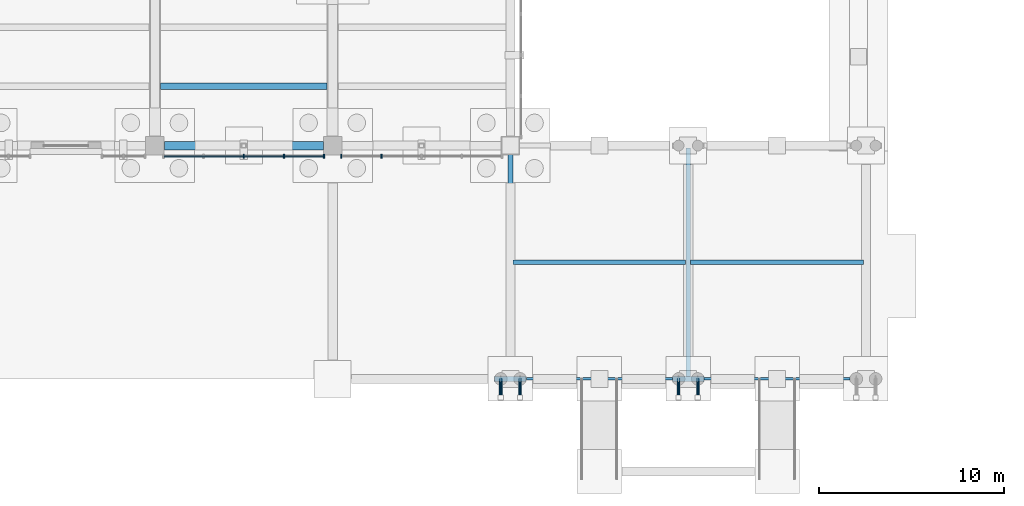
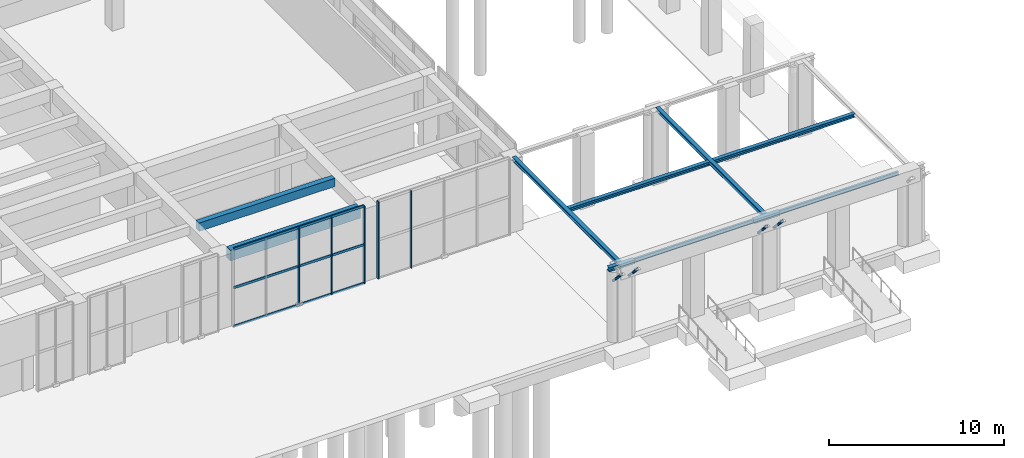
# One storey, part 17 of 51: 12 members, 10 beams, 2 elements without a shape of their own.
"""IFC4 building model written with IfcOpenShell, lengths in metres."""

from ifc_helpers import new_model, si_unit, direction, frame, origin, origin_2d, place, context, subcontext, project, spatial, rectangle, hollow_circle, i_section, extrude, material, layer, layer_set, material_profile, profile_set, type_object, element, aggregate, save


model = new_model("IFC4")

# Units and contexts
model_context = context("Model", 3, precision=1e-05, world=origin(), true_north=direction((0.0, 1.0)))
body_context = subcontext(model_context, "Body", "Model", "MODEL_VIEW")
ifc_project = project(units=[si_unit("LENGTHUNIT", "METRE"), si_unit("AREAUNIT", "SQUARE_METRE"), si_unit("VOLUMEUNIT", "CUBIC_METRE"), si_unit("PLANEANGLEUNIT", "RADIAN"), si_unit("MASSUNIT", "GRAM", prefix="KILO")], contexts=[model_context])

# Site, building, storey
site_placement = place(None, origin())
site = spatial("IfcSite", under=ifc_project, at=site_placement, CompositionType="ELEMENT")
building_placement = place(site_placement, origin())
building = spatial("IfcBuilding", under=site, at=building_placement, Name="Bempovik Park Faculty of Sciences", CompositionType="ELEMENT")
storey_placement = place(building_placement, origin())
storey = spatial("IfcBuildingStorey", under=building, at=storey_placement, Name="L00", CompositionType="ELEMENT", Elevation=0.0)

# Beams
ifc_material_1 = material(Name="Steel S355", Category="steel")
ifc_material_profile_1 = material_profile(ifc_material_1, i_section(OverallWidth=0.135009765625, OverallDepth=0.27001953125, WebThickness=0.006591796875, FlangeThickness=0.01025390625, at=origin_2d()), Name="IPE 270")
ifc_profile_set_1 = profile_set([ifc_material_profile_1], Name="Steel S355")
beam_type_1 = type_object("IfcBeamType", Name="B-036 IPE 270", PredefinedType="SPANDREL", material=ifc_profile_set_1)
beam_1_placement = place(storey_placement, frame((118.4560546875, 7.199951171875, 5.044921875), z_axis=(1.0, 0.0, 0.0), x_axis=(0.0, 1.0, 0.0)))
element("IfcBeam", 1, at=beam_1_placement, inside=storey, type_object=beam_type_1, Name="Colonnade Beam X E (117.6-127.2)", PredefinedType="SPANDREL", context=body_context, shape_type="SweptSolid", body=[
    extrude(i_section(OverallWidth=0.135009765625, OverallDepth=0.27001953125, WebThickness=0.006591796875, FlangeThickness=0.01025390625, at=origin_2d()), origin(), (0.0, 0.0, 1.0), 7.887939453125),
])
beam_2_placement = place(storey_placement, frame((128.055908203125, 7.199951171875, 5.044921875), z_axis=(1.0, 0.0, 0.0), x_axis=(0.0, 1.0, 0.0)))
element("IfcBeam", 2, at=beam_2_placement, inside=storey, type_object=beam_type_1, Name="Colonnade Beam X E (127.2-136.8)", PredefinedType="SPANDREL", context=body_context, shape_type="SweptSolid", body=[
    extrude(i_section(OverallWidth=0.135009765625, OverallDepth=0.27001953125, WebThickness=0.006591796875, FlangeThickness=0.01025390625, at=origin_2d()), origin(), (0.0, 0.0, 1.0), 7.88818359375),
])
ifc_material_profile_2 = material_profile(ifc_material_1, i_section(OverallWidth=0.260009765625, OverallDepth=0.25, WebThickness=0.007568359375, FlangeThickness=0.012451171875, at=origin_2d()), Name="HEA 260")
ifc_profile_set_2 = profile_set([ifc_material_profile_2], Name="Steel S355")
beam_type_2 = type_object("IfcBeamType", Name="B-082 HEA 260", PredefinedType="BEAM", material=ifc_profile_set_2)
beam_3_placement = place(storey_placement, frame((117.60009765625, 7.3359375, 5.054931640625), z_axis=(0.0, 1.0, 0.0), x_axis=(-1.0, 0.0, 0.0)))
element("IfcBeam", 3, at=beam_3_placement, inside=storey, type_object=beam_type_2, Name="Colonnade Canopy Beam Y E-117.6", PredefinedType="BEAM", context=body_context, shape_type="SweptSolid", body=[
    extrude(i_section(OverallWidth=0.260009765625, OverallDepth=0.25, WebThickness=0.007568359375, FlangeThickness=0.012451171875, at=origin_2d()), origin(), (0.0, 0.0, 1.0), 12.13818359375),
])
beam_4_placement = place(storey_placement, frame((127.199951171875, 7.3359375, 5.054931640625), z_axis=(0.0, 1.0, 0.0), x_axis=(-1.0, 0.0, 0.0)))
element("IfcBeam", 4, at=beam_4_placement, inside=storey, type_object=beam_type_2, Name="Colonnade Canopy Beam Y E-127.2", PredefinedType="BEAM", context=body_context, shape_type="SweptSolid", body=[
    extrude(i_section(OverallWidth=0.260009765625, OverallDepth=0.25, WebThickness=0.007568359375, FlangeThickness=0.012451171875, at=origin_2d()), origin(), (0.0, 0.0, 1.0), 12.328125),
])
beam_5_placement = place(storey_placement, frame((117.736083984375, 13.5, 5.054931640625), z_axis=(1.0, 0.0, 0.0), x_axis=(0.0, 1.0, 0.0)))
element("IfcBeam", 5, at=beam_5_placement, inside=storey, type_object=beam_type_2, Name="Colonnade Beam X E (117.6-127.2)", PredefinedType="BEAM", context=body_context, shape_type="SweptSolid", body=[
    extrude(i_section(OverallWidth=0.260009765625, OverallDepth=0.25, WebThickness=0.007568359375, FlangeThickness=0.012451171875, at=origin_2d()), origin(), (0.0, 0.0, 1.0), 9.327880859375),
])
beam_6_placement = place(storey_placement, frame((127.3359375, 13.5, 5.054931640625), z_axis=(1.0, 0.0, 0.0), x_axis=(0.0, 1.0, 0.0)))
element("IfcBeam", 6, at=beam_6_placement, inside=storey, type_object=beam_type_2, Name="Colonnade Beam X E (127.2-136.8)", PredefinedType="BEAM", context=body_context, shape_type="SweptSolid", body=[
    extrude(i_section(OverallWidth=0.260009765625, OverallDepth=0.25, WebThickness=0.007568359375, FlangeThickness=0.012451171875, at=origin_2d()), origin(), (0.0, 0.0, 1.0), 9.328125),
])
ifc_material_profile_3 = material_profile(ifc_material_1, i_section(OverallWidth=0.280029296875, OverallDepth=0.27001953125, WebThickness=0.008056640625, FlangeThickness=0.012939453125, at=origin_2d()), Name="HEA 280")
ifc_profile_set_3 = profile_set([ifc_material_profile_3], Name="Steel S355")
beam_type_3 = type_object("IfcBeamType", Name="B-098 HEA 280", PredefinedType="BEAM", material=ifc_profile_set_3)
for number, where, z_axis, x_axis, name in (
    (7, (116.75, 7.199951171875, 5.044921875), (1.0, 0.0, 0.0), (0.0, 1.0, 0.0), "Colonnade Pier Cap Beam E-117.6"),
    (8, (126.35009765625, 7.199951171875, 5.044921875), (1.0, 0.0, 0.0), (0.0, 1.0, 0.0), "Colonnade Pier Cap Beam E-127.2"),
):
    element("IfcBeam", number, at=place(storey_placement, frame(where, z_axis=z_axis, x_axis=x_axis)), inside=storey, type_object=beam_type_3, Name=name, PredefinedType="BEAM", context=body_context, shape_type="SweptSolid", body=[
        extrude(i_section(OverallWidth=0.280029296875, OverallDepth=0.27001953125, WebThickness=0.008056640625, FlangeThickness=0.012939453125, at=origin_2d()), origin(), (0.0, 0.0, 1.0), 1.699951171875),
    ])
ifc_material_2 = material(Name="Concrete C35/45", Category="concrete")
ifc_material_profile_4 = material_profile(ifc_material_2, rectangle(XDim=0.35009765625, YDim=0.580078125, at=origin_2d()), Name="RC 350x580")
ifc_profile_set_4 = profile_set([ifc_material_profile_4], Name="Concrete C35/45")
beam_type_4 = type_object("IfcBeamType", Name="B-107 RC 350x580", PredefinedType="JOIST", material=ifc_profile_set_4)
beam_7_placement = place(storey_placement, frame((98.7060546875, 23.0, 4.7900390625), z_axis=(1.0, 0.0, 0.0), x_axis=(0.0, 1.0, 0.0)))
element("IfcBeam", 9, at=beam_7_placement, inside=storey, type_object=beam_type_4, Name="L00 Secondary Joist (98.4-108.0, y=23.00)", PredefinedType="JOIST", context=body_context, shape_type="SweptSolid", body=[
    extrude(rectangle(XDim=0.35009765625, YDim=0.580078125, at=origin_2d()), origin(), (0.0, 0.0, 1.0), 8.988037109375),
])
ifc_material_3 = material(Name="Concrete C40/50", Category="concrete")
ifc_material_profile_5 = material_profile(ifc_material_3, rectangle(XDim=0.449951171875, YDim=0.75, at=origin_2d()), Name="RC 450x750")
ifc_profile_set_5 = profile_set([ifc_material_profile_5], Name="Concrete C40/50")
beam_type_5 = type_object("IfcBeamType", Name="B-130 RC 450x750", PredefinedType="SPANDREL", material=ifc_profile_set_5)
beam_8_placement = place(storey_placement, frame((98.906005859375, 19.800048828125, 4.705078125), z_axis=(1.0, 0.0, 0.0), x_axis=(0.0, 1.0, 0.0)))
element("IfcBeam", 10, at=beam_8_placement, inside=storey, type_object=beam_type_5, Name="L00 Beam X (98.4-108.0, y=19.8)", PredefinedType="SPANDREL", context=body_context, shape_type="SweptSolid", body=[
    extrude(rectangle(XDim=0.449951171875, YDim=0.75, at=origin_2d()), origin(), (0.0, 0.0, 1.0), 8.587890625),
])

# Members
ifc_material_profile_6 = material_profile(ifc_material_1, hollow_circle(Radius=0.084228515625, WallThickness=0.008056640625, at=origin_2d()), Name="CHS 168.3x8")
ifc_profile_set_6 = profile_set([ifc_material_profile_6], Name="Steel S355")
member_type_1 = type_object("IfcMemberType", Name="M-51 CHS 168.3x8", PredefinedType="STRUT", material=ifc_profile_set_6)
for number, where, z_axis, x_axis, name in (
    (11, (117.080078125, 7.199951171875, 4.10009765625), (0.0, -0.686283985267, 0.727333686534), (1.0, 0.0, 0.0), "Colonnade Overhang Strut 117.6-W"),
    (12, (118.1201171875, 7.199951171875, 4.10009765625), (0.0, -0.686283985267, 0.727333686534), (1.0, 0.0, 0.0), "Colonnade Overhang Strut 117.6-E"),
    (13, (126.679931640625, 7.199951171875, 4.10009765625), (0.0, -0.686283985267, 0.727333686534), (1.0, 0.0, 0.0), "Colonnade Overhang Strut 127.2-W"),
    (14, (127.719970703125, 7.199951171875, 4.10009765625), (0.0, -0.686283985267, 0.727333686534), (1.0, 0.0, 0.0), "Colonnade Overhang Strut 127.2-E"),
):
    element("IfcMember", number, at=place(storey_placement, frame(where, z_axis=z_axis, x_axis=x_axis)), inside=storey, type_object=member_type_1, Name=name, PredefinedType="STRUT", context=body_context, shape_type="SweptSolid", body=[
        extrude(hollow_circle(Radius=0.084228515625, WallThickness=0.008056640625, at=origin_2d()), origin(), (0.0, 0.0, 1.0), 1.45703125),
    ])

# Curtain wall, members
ifc_material_4 = material(Name="Tempered laminated low-E glass", Category="glass")
ifc_layer = layer(ifc_material_4, 0.159912109375)
ifc_layer_set = layer_set([ifc_layer], Name="Tempered laminated low-E glass")
curtain_wall_type = type_object("IfcCurtainWallType", Name="CW-57 Curtain 7200x5100", PredefinedType="USERDEFINED", material=ifc_layer_set)
curtain_wall_1_placement = place(storey_placement, origin())
curtain_wall_1 = element("IfcCurtainWall", 15, at=curtain_wall_1_placement, inside=storey, type_object=curtain_wall_type, Name="L00 Recessed Entrance Foyer Curtain Wall (98.4-108.0)", ObjectType="UNITISED CURTAIN WALL", PredefinedType="USERDEFINED")
ifc_material_5 = material(Name="Anodised architectural bronze", Category="aluminium")
ifc_material_profile_7 = material_profile(ifc_material_5, rectangle(XDim=0.074951171875, YDim=0.199951171875, at=origin_2d()), Name="ALU-M 75x200")
ifc_profile_set_7 = profile_set([ifc_material_profile_7], Name="Anodised architectural bronze")
member_type_2 = type_object("IfcMemberType", Name="ML-17 ALU-M 75x200", PredefinedType="MULLION", material=ifc_profile_set_7)
member_1_placement = place(storey_placement, frame((103.199951171875, 19.219970703125, 0.0), z_axis=(0.0, 0.0, 1.0), x_axis=(1.0, 0.0, 0.0)))
member_1 = element("IfcMember", 16, at=member_1_placement, type_object=member_type_2, Name="CW-FOY-L00-198-984 Mullion 2", PredefinedType="MULLION", context=body_context, shape_type="SweptSolid", body=[
    extrude(rectangle(XDim=0.074951171875, YDim=0.199951171875, at=origin_2d()), origin(), (0.0, 0.0, 1.0), 5.39990234375),
])
member_2_placement = place(storey_placement, frame((105.368896484375, 19.219970703125, 0.0), z_axis=(0.0, 0.0, 1.0), x_axis=(1.0, 0.0, 0.0)))
member_2 = element("IfcMember", 17, at=member_2_placement, type_object=member_type_2, Name="CW-FOY-L00-198-984 Mullion 3", PredefinedType="MULLION", context=body_context, shape_type="SweptSolid", body=[
    extrude(rectangle(XDim=0.074951171875, YDim=0.199951171875, at=origin_2d()), origin(), (0.0, 0.0, 1.0), 5.39990234375),
])
member_3_placement = place(storey_placement, frame((107.5380859375, 19.219970703125, 0.0), z_axis=(0.0, 0.0, 1.0), x_axis=(1.0, 0.0, 0.0)))
member_3 = element("IfcMember", 18, at=member_3_placement, type_object=member_type_2, Name="CW-FOY-L00-198-984 Mullion 4", PredefinedType="MULLION", context=body_context, shape_type="SweptSolid", body=[
    extrude(rectangle(XDim=0.074951171875, YDim=0.199951171875, at=origin_2d()), origin(), (0.0, 0.0, 1.0), 5.39990234375),
])

curtain_wall_2_placement = place(storey_placement, origin())
curtain_wall_2 = element("IfcCurtainWall", 19, at=curtain_wall_2_placement, inside=storey, type_object=curtain_wall_type, Name="L00 Recessed Entrance Foyer Curtain Wall (108.0-117.6)", ObjectType="UNITISED CURTAIN WALL", PredefinedType="USERDEFINED")
member_4_placement = place(storey_placement, frame((108.4619140625, 19.219970703125, 0.0), z_axis=(0.0, 0.0, 1.0), x_axis=(1.0, 0.0, 0.0)))
member_4 = element("IfcMember", 20, at=member_4_placement, type_object=member_type_2, Name="CW-FOY-L00-198-1080 Mullion 0", PredefinedType="MULLION", context=body_context, shape_type="SweptSolid", body=[
    extrude(rectangle(XDim=0.074951171875, YDim=0.199951171875, at=origin_2d()), origin(), (0.0, 0.0, 1.0), 5.39990234375),
])
member_5_placement = place(storey_placement, frame((110.631103515625, 19.219970703125, 0.0), z_axis=(0.0, 0.0, 1.0), x_axis=(1.0, 0.0, 0.0)))
member_5 = element("IfcMember", 21, at=member_5_placement, type_object=member_type_2, Name="CW-FOY-L00-198-1080 Mullion 1", PredefinedType="MULLION", context=body_context, shape_type="SweptSolid", body=[
    extrude(rectangle(XDim=0.074951171875, YDim=0.199951171875, at=origin_2d()), origin(), (0.0, 0.0, 1.0), 5.39990234375),
])
aggregate(curtain_wall_2, [member_4, member_5])

# Member
ifc_material_profile_8 = material_profile(ifc_material_5, rectangle(XDim=0.074951171875, YDim=0.1650390625, at=origin_2d()), Name="ALU-T 75x165")
ifc_profile_set_8 = profile_set([ifc_material_profile_8], Name="Anodised architectural bronze")
member_type_3 = type_object("IfcMemberType", Name="TR-15 ALU-T 75x165", PredefinedType="USERDEFINED", material=ifc_profile_set_8)
member_6_placement = place(storey_placement, frame((98.902099609375, 19.219970703125, 0.0), z_axis=(1.0, 0.0, 0.0), x_axis=(0.0, 1.0, 0.0)))
member_6 = element("IfcMember", 22, at=member_6_placement, type_object=member_type_3, Name="CW-FOY-L00-198-984 Transom 0", ObjectType="TRANSOM", PredefinedType="USERDEFINED", context=body_context, shape_type="SweptSolid", body=[
    extrude(rectangle(XDim=0.074951171875, YDim=0.1650390625, at=origin_2d()), origin(), (0.0, 0.0, 1.0), 8.595947265625),
])

member_7_placement = place(storey_placement, frame((98.902099609375, 19.219970703125, 2.699951171875), z_axis=(1.0, 0.0, 0.0), x_axis=(0.0, 1.0, 0.0)))
member_7 = element("IfcMember", 23, at=member_7_placement, type_object=member_type_3, Name="CW-FOY-L00-198-984 Transom 1", ObjectType="TRANSOM", PredefinedType="USERDEFINED", context=body_context, shape_type="SweptSolid", body=[
    extrude(rectangle(XDim=0.074951171875, YDim=0.1650390625, at=origin_2d()), origin(), (0.0, 0.0, 1.0), 8.595947265625),
])

member_8_placement = place(storey_placement, frame((98.902099609375, 19.219970703125, 5.39990234375), z_axis=(1.0, 0.0, 0.0), x_axis=(0.0, 1.0, 0.0)))
member_8 = element("IfcMember", 24, at=member_8_placement, type_object=member_type_3, Name="CW-FOY-L00-198-984 Transom 2", ObjectType="TRANSOM", PredefinedType="USERDEFINED", context=body_context, shape_type="SweptSolid", body=[
    extrude(rectangle(XDim=0.074951171875, YDim=0.1650390625, at=origin_2d()), origin(), (0.0, 0.0, 1.0), 8.595947265625),
])

aggregate(curtain_wall_1, [member_1, member_2, member_3, member_6, member_7, member_8])

save(model, "model.ifc")
